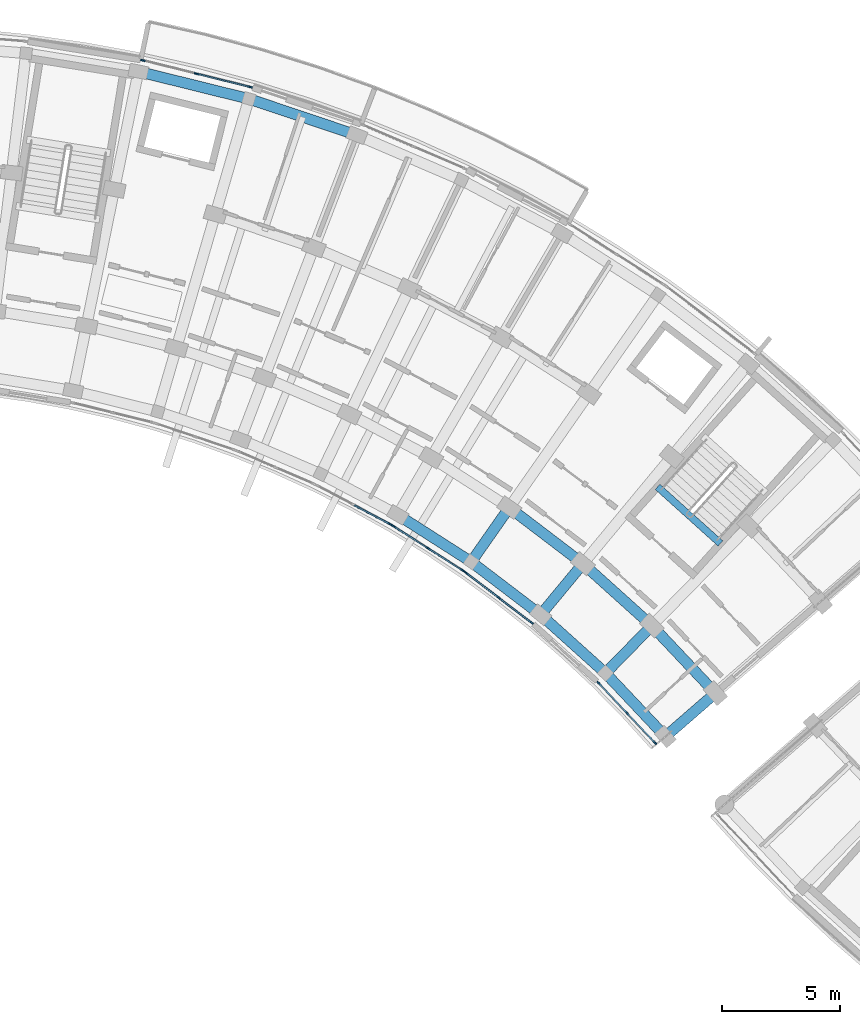
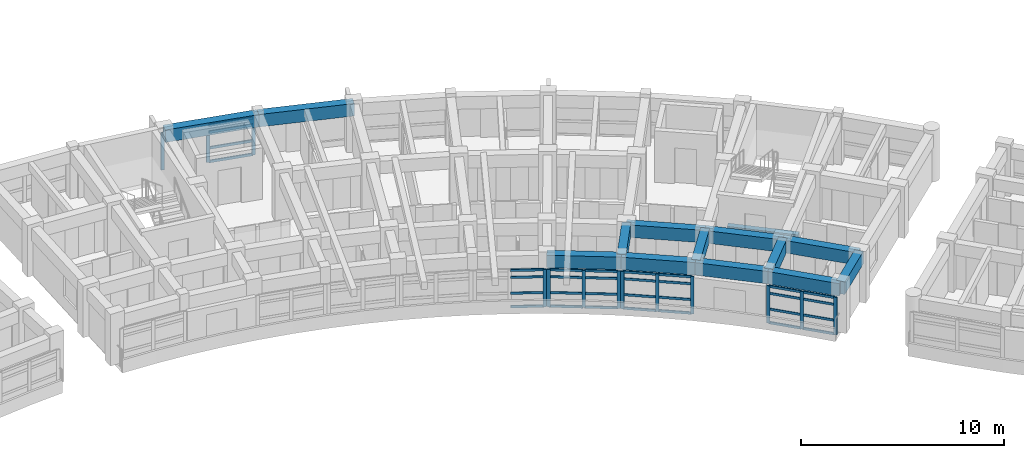
# One storey, part 20 of 70: 45 members, 14 beams, 5 elements without a shape of their own.
"""IFC4 building model written with IfcOpenShell, lengths in metres."""

from ifc_helpers import new_model, si_unit, direction, frame, origin, origin_2d, place, context, subcontext, project, spatial, rectangle, extrude, material, material_profile, profile_set, type_object, element, aggregate, save


model = new_model("IFC4")

# Units and contexts
model_context = context("Model", 3, precision=1e-05, world=origin(), true_north=direction((0.0, 1.0)))
body_context = subcontext(model_context, "Body", "Model", "MODEL_VIEW")
ifc_project = project(units=[si_unit("LENGTHUNIT", "METRE"), si_unit("AREAUNIT", "SQUARE_METRE"), si_unit("VOLUMEUNIT", "CUBIC_METRE"), si_unit("PLANEANGLEUNIT", "RADIAN"), si_unit("MASSUNIT", "GRAM", prefix="KILO")], contexts=[model_context])

# Site, building, storey
site_placement = place(None, origin())
site = spatial("IfcSite", under=ifc_project, at=site_placement, CompositionType="ELEMENT")
building_placement = place(site_placement, origin())
building = spatial("IfcBuilding", under=site, at=building_placement, Name="Zimvara Arc Housing Community", CompositionType="ELEMENT")
storey_placement = place(building_placement, frame((0.0, 0.0, 8.10009765625)))
storey = spatial("IfcBuildingStorey", under=building, at=storey_placement, Name="L02", CompositionType="ELEMENT", Elevation=8.10009765625)

# Beams
ifc_material_1 = material(Name="Concrete C40/50", Category="concrete")
ifc_material_profile_1 = material_profile(ifc_material_1, rectangle(XDim=0.300048828125, YDim=0.5, at=origin_2d()), Name="RC 300x500")
ifc_profile_set_1 = profile_set([ifc_material_profile_1], Name="Concrete C40/50")
beam_type_1 = type_object("IfcBeamType", Name="BM-RC-300x500", PredefinedType="BEAM", material=ifc_profile_set_1)
beam_1_placement = place(storey_placement, frame((81.375732421875, 82.259033203125, -0.25), z_axis=(-0.743362151162, 0.668889162881, 0.0), x_axis=(-0.668889162881, -0.743362151162, 0.0)))
element("IfcBeam", 1, at=beam_1_placement, inside=storey, type_object=beam_type_1, Name="bm:stair_trim:ST-B2:L02:near", PredefinedType="BEAM", context=body_context, shape_type="SweptSolid", body=[
    extrude(rectangle(XDim=0.300048828125, YDim=0.5, at=origin_2d()), origin(), (0.0, 0.0, 1.0), 3.570068359375),
])
ifc_material_2 = material(Name="Concrete C40/50", Category="concrete")
ifc_material_profile_2 = material_profile(ifc_material_2, rectangle(XDim=0.449951171875, YDim=0.75, at=origin_2d()), Name="RC 450x750")
ifc_profile_set_2 = profile_set([ifc_material_profile_2], Name="Concrete C40/50")
beam_type_2 = type_object("IfcBeamType", Name="BM-RC-450x750", PredefinedType="BEAM", material=ifc_profile_set_2)
beam_2_placement = place(storey_placement, frame((67.750732421875, 83.46435546875, 2.5048828125), z_axis=(0.842272604079, -0.539051816079, 0.0), x_axis=(0.539051816079, 0.842272604079, 0.0)))
element("IfcBeam", 2, at=beam_2_placement, inside=storey, type_object=beam_type_2, Name="bm:blkB:L02:chord:r0:b6", PredefinedType="BEAM", context=body_context, shape_type="SweptSolid", body=[
    extrude(rectangle(XDim=0.449951171875, YDim=0.75, at=origin_2d()), origin(), (0.0, 0.0, 1.0), 3.684326171875),
])
beam_3_placement = place(storey_placement, frame((70.85400390625, 81.478271484375, 2.5048828125), z_axis=(0.795453014049, -0.606015265847, 0.0), x_axis=(0.606015265847, 0.795453014049, 0.0)))
element("IfcBeam", 3, at=beam_3_placement, inside=storey, type_object=beam_type_2, Name="bm:blkB:L02:chord:r0:b7", PredefinedType="BEAM", context=body_context, shape_type="SweptSolid", body=[
    extrude(rectangle(XDim=0.449951171875, YDim=0.75, at=origin_2d()), origin(), (0.0, 0.0, 1.0), 3.6845703125),
])
beam_4_placement = place(storey_placement, frame((73.784912109375, 79.245361328125, 2.5048828125), z_axis=(0.743366631239, -0.668884183966, 0.0), x_axis=(0.668884183966, 0.743366631239, 0.0)))
element("IfcBeam", 4, at=beam_4_placement, inside=storey, type_object=beam_type_2, Name="bm:blkB:L02:chord:r0:b8", PredefinedType="BEAM", context=body_context, shape_type="SweptSolid", body=[
    extrude(rectangle(XDim=0.449951171875, YDim=0.75, at=origin_2d()), origin(), (0.0, 0.0, 1.0), 3.684326171875),
])
beam_5_placement = place(storey_placement, frame((76.523681640625, 76.781005859375, 2.5048828125), z_axis=(0.686335517678, -0.727285059088, 0.0), x_axis=(0.727285059088, 0.686335517678, 0.0)))
element("IfcBeam", 5, at=beam_5_placement, inside=storey, type_object=beam_type_2, Name="bm:blkB:L02:chord:r0:b9", PredefinedType="BEAM", context=body_context, shape_type="SweptSolid", body=[
    extrude(rectangle(XDim=0.449951171875, YDim=0.75, at=origin_2d()), origin(), (0.0, 0.0, 1.0), 3.6845703125),
])
for number, where, z_axis, x_axis, name in (
    (6, (72.458251953125, 83.77294921875, 2.5048828125), (0.795470387579, -0.605992460749, 0.0), (0.605992460749, 0.795470387579, 0.0), "bm:blkB:L02:chord:r1:b7"),
    (7, (75.571044921875, 81.401611328125, 2.5048828125), (0.743402719516, -0.668844074965, 0.0), (0.668844074965, 0.743402719516, 0.0), "bm:blkB:L02:chord:r1:b8"),
):
    element("IfcBeam", number, at=place(storey_placement, frame(where, z_axis=z_axis, x_axis=x_axis)), inside=storey, type_object=beam_type_2, Name=name, PredefinedType="BEAM", context=body_context, shape_type="SweptSolid", body=[
        extrude(rectangle(XDim=0.449951171875, YDim=0.75, at=origin_2d()), origin(), (0.0, 0.0, 1.0), 3.9130859375),
    ])
beam_6_placement = place(storey_placement, frame((78.47998046875, 78.784423828125, 2.5048828125), z_axis=(0.686315710793, -0.727303750243, 0.0), x_axis=(0.727303750243, 0.686315710793, 0.0)))
element("IfcBeam", 8, at=beam_6_placement, inside=storey, type_object=beam_type_2, Name="bm:blkB:L02:chord:r1:b9", PredefinedType="BEAM", context=body_context, shape_type="SweptSolid", body=[
    extrude(rectangle(XDim=0.449951171875, YDim=0.75, at=origin_2d()), origin(), (0.0, 0.0, 1.0), 3.913330078125),
])
beam_7_placement = place(storey_placement, frame((56.79931640625, 102.185546875, 2.5048828125), z_axis=(0.970716235341, -0.240229037474, 0.0), x_axis=(0.240229037474, 0.970716235341, 0.0)))
element("IfcBeam", 9, at=beam_7_placement, inside=storey, type_object=beam_type_2, Name="bm:blkB:L02:chord:r3:b2", PredefinedType="BEAM", context=body_context, shape_type="SweptSolid", body=[
    extrude(rectangle(XDim=0.449951171875, YDim=0.75, at=origin_2d()), origin(), (0.0, 0.0, 1.0), 4.80810546875),
])
beam_8_placement = place(storey_placement, frame((61.466552734375, 101.030517578125, 2.5048828125), z_axis=(0.947877948153, -0.31863363822, 0.0), x_axis=(0.31863363822, 0.947877948153, 0.0)))
element("IfcBeam", 10, at=beam_8_placement, inside=storey, type_object=beam_type_2, Name="bm:blkB:L02:chord:r3:b3", PredefinedType="BEAM", context=body_context, shape_type="SweptSolid", body=[
    extrude(rectangle(XDim=0.449951171875, YDim=0.75, at=origin_2d()), origin(), (0.0, 0.0, 1.0), 4.807861328125),
])
beam_9_placement = place(storey_placement, frame((70.85400390625, 81.478271484375, 2.5048828125), z_axis=(0.57297651105, 0.819571789281, 0.0), x_axis=(-0.819571789281, 0.57297651105, 0.0)))
element("IfcBeam", 11, at=beam_9_placement, inside=storey, type_object=beam_type_2, Name="bm:blkB:L02:rad:b7:r01", PredefinedType="BEAM", context=body_context, shape_type="SweptSolid", body=[
    extrude(rectangle(XDim=0.449951171875, YDim=0.75, at=origin_2d()), origin(), (0.0, 0.0, 1.0), 2.7998046875),
])
for number, where, z_axis, x_axis, name in (
    (12, (73.784912109375, 79.245361328125, 2.5048828125), (0.637917412223, 0.770104781951, 0.0), (-0.770104781951, 0.637917412223, 0.0), "bm:blkB:L02:rad:b8:r01"),
    (13, (76.523681640625, 76.781005859375, 2.5048828125), (0.698643013894, 0.71547043205, 0.0), (-0.71547043205, 0.698643013894, 0.0), "bm:blkB:L02:rad:b9:r01"),
    (14, (79.052490234375, 74.101318359375, 2.5048828125), (0.754733151583, 0.656031912259, 0.0), (-0.656031912259, 0.754733151583, 0.0), "bm:blkB:L02:rad:b10:r01"),
):
    element("IfcBeam", number, at=place(storey_placement, frame(where, z_axis=z_axis, x_axis=x_axis)), inside=storey, type_object=beam_type_2, Name=name, PredefinedType="BEAM", context=body_context, shape_type="SweptSolid", body=[
        extrude(rectangle(XDim=0.449951171875, YDim=0.75, at=origin_2d()), origin(), (0.0, 0.0, 1.0), 2.800048828125),
    ])

# Curtain wall, member
ifc_material_3 = material(Name="Anodised Aluminium AW-6063", Category="aluminium")
curtain_wall_type_1 = type_object("IfcCurtainWallType", Name="CW-SYS-08", PredefinedType="USERDEFINED", material=ifc_material_3)
curtain_wall_1_placement = place(storey_placement, origin())
curtain_wall_1 = element("IfcCurtainWall", 15, at=curtain_wall_1_placement, inside=storey, type_object=curtain_wall_type_1, Name="cw:blkB:L02:in:b5", ObjectType="CURTAIN WALL", PredefinedType="USERDEFINED")
ifc_material_4 = material(Name="Anodised Aluminium AW-6063", Category="aluminium")
ifc_material_profile_3 = material_profile(ifc_material_4, rectangle(XDim=0.06494140625, YDim=0.179931640625, at=origin_2d()), Name="ALU 65x180")
ifc_profile_set_3 = profile_set([ifc_material_profile_3], Name="Anodised Aluminium AW-6063")
member_type_1 = type_object("IfcMemberType", Name="CWM-65x150", PredefinedType="MULLION", material=ifc_profile_set_3)
member_1_placement = place(storey_placement, frame((67.416748046875, 83.075927734375, 0.0), z_axis=(0.0, 0.0, 1.0), x_axis=(0.468544648573, 0.88343981815, 0.0)))
member_1 = element("IfcMember", 16, at=member_1_placement, type_object=member_type_1, Name="CW08 mullion 3", PredefinedType="MULLION", context=body_context, shape_type="SweptSolid", body=[
    extrude(rectangle(XDim=0.06494140625, YDim=0.179931640625, at=origin_2d()), origin(), (0.0, 0.0, 1.0), 2.25),
])

# Curtain wall, members
ifc_material_5 = material(Name="Anodised Aluminium AW-6063", Category="aluminium")
curtain_wall_type_2 = type_object("IfcCurtainWallType", Name="CW-SYS-02", PredefinedType="USERDEFINED", material=ifc_material_5)
curtain_wall_2_placement = place(storey_placement, origin())
curtain_wall_2 = element("IfcCurtainWall", 17, at=curtain_wall_2_placement, inside=storey, type_object=curtain_wall_type_2, Name="cw:blkB:L02:in:b6", ObjectType="CURTAIN WALL", PredefinedType="USERDEFINED")
member_2_placement = place(storey_placement, frame((67.576416015625, 82.982666015625, 0.0), z_axis=(0.0, 0.0, 1.0), x_axis=(0.539064085203, 0.842264751752, 0.0)))
member_2 = element("IfcMember", 18, at=member_2_placement, type_object=member_type_1, Name="CW02 mullion 1", PredefinedType="MULLION", context=body_context, shape_type="SweptSolid", body=[
    extrude(rectangle(XDim=0.06494140625, YDim=0.179931640625, at=origin_2d()), origin(), (0.0, 0.0, 1.0), 2.25),
])
member_3_placement = place(storey_placement, frame((69.032958984375, 82.050537109375, 0.0), z_axis=(0.0, 0.0, 1.0), x_axis=(0.539064085203, 0.842264751752, 0.0)))
member_3 = element("IfcMember", 19, at=member_3_placement, type_object=member_type_1, Name="CW02 mullion 2", PredefinedType="MULLION", context=body_context, shape_type="SweptSolid", body=[
    extrude(rectangle(XDim=0.06494140625, YDim=0.179931640625, at=origin_2d()), origin(), (0.0, 0.0, 1.0), 2.25),
])
member_4_placement = place(storey_placement, frame((70.489501953125, 81.118408203125, 0.0), z_axis=(0.0, 0.0, 1.0), x_axis=(0.539064085203, 0.842264751752, 0.0)))
member_4 = element("IfcMember", 20, at=member_4_placement, type_object=member_type_1, Name="CW02 mullion 3", PredefinedType="MULLION", context=body_context, shape_type="SweptSolid", body=[
    extrude(rectangle(XDim=0.06494140625, YDim=0.179931640625, at=origin_2d()), origin(), (0.0, 0.0, 1.0), 2.25),
])

ifc_material_6 = material(Name="Anodised Aluminium AW-6063", Category="aluminium")
curtain_wall_type_3 = type_object("IfcCurtainWallType", Name="CW-SYS-04", PredefinedType="USERDEFINED", material=ifc_material_6)
curtain_wall_3_placement = place(storey_placement, origin())
curtain_wall_3 = element("IfcCurtainWall", 21, at=curtain_wall_3_placement, inside=storey, type_object=curtain_wall_type_3, Name="cw:blkB:L02:in:b7", ObjectType="CURTAIN WALL", PredefinedType="USERDEFINED")
member_5_placement = place(storey_placement, frame((70.64111328125, 81.012451171875, 0.0), z_axis=(0.0, 0.0, 1.0), x_axis=(0.605988318533, 0.795473543119, 0.0)))
member_5 = element("IfcMember", 22, at=member_5_placement, type_object=member_type_1, Name="CW04 mullion 1", PredefinedType="MULLION", context=body_context, shape_type="SweptSolid", body=[
    extrude(rectangle(XDim=0.06494140625, YDim=0.179931640625, at=origin_2d()), origin(), (0.0, 0.0, 1.0), 2.25),
])
member_6_placement = place(storey_placement, frame((72.0166015625, 79.96435546875, 0.0), z_axis=(0.0, 0.0, 1.0), x_axis=(0.605988318533, 0.795473543119, 0.0)))
member_6 = element("IfcMember", 23, at=member_6_placement, type_object=member_type_1, Name="CW04 mullion 2", PredefinedType="MULLION", context=body_context, shape_type="SweptSolid", body=[
    extrude(rectangle(XDim=0.06494140625, YDim=0.179931640625, at=origin_2d()), origin(), (0.0, 0.0, 1.0), 2.25),
])
member_7_placement = place(storey_placement, frame((73.392333984375, 78.91650390625, 0.0), z_axis=(0.0, 0.0, 1.0), x_axis=(0.605988318533, 0.795473543119, 0.0)))
member_7 = element("IfcMember", 24, at=member_7_placement, type_object=member_type_1, Name="CW04 mullion 3", PredefinedType="MULLION", context=body_context, shape_type="SweptSolid", body=[
    extrude(rectangle(XDim=0.06494140625, YDim=0.179931640625, at=origin_2d()), origin(), (0.0, 0.0, 1.0), 2.25),
])

ifc_material_7 = material(Name="Anodised Aluminium AW-6063", Category="aluminium")
curtain_wall_type_4 = type_object("IfcCurtainWallType", Name="CW-SYS-06", PredefinedType="USERDEFINED", material=ifc_material_7)
curtain_wall_4_placement = place(storey_placement, origin())
curtain_wall_4 = element("IfcCurtainWall", 25, at=curtain_wall_4_placement, inside=storey, type_object=curtain_wall_type_4, Name="cw:blkB:L02:in:b9", ObjectType="CURTAIN WALL", PredefinedType="USERDEFINED")
member_8_placement = place(storey_placement, frame((76.238037109375, 76.35595703125, 0.0), z_axis=(0.0, 0.0, 1.0), x_axis=(0.727293280483, 0.686326805658, 0.0)))
member_8 = element("IfcMember", 26, at=member_8_placement, type_object=member_type_1, Name="CW06 mullion 1", PredefinedType="MULLION", context=body_context, shape_type="SweptSolid", body=[
    extrude(rectangle(XDim=0.06494140625, YDim=0.179931640625, at=origin_2d()), origin(), (0.0, 0.0, 1.0), 2.25),
])
member_9_placement = place(storey_placement, frame((77.4248046875, 75.098388671875, 0.0), z_axis=(0.0, 0.0, 1.0), x_axis=(0.727293280483, 0.686326805658, 0.0)))
member_9 = element("IfcMember", 27, at=member_9_placement, type_object=member_type_1, Name="CW06 mullion 2", PredefinedType="MULLION", context=body_context, shape_type="SweptSolid", body=[
    extrude(rectangle(XDim=0.06494140625, YDim=0.179931640625, at=origin_2d()), origin(), (0.0, 0.0, 1.0), 2.25),
])
member_10_placement = place(storey_placement, frame((78.611572265625, 73.840576171875, 0.0), z_axis=(0.0, 0.0, 1.0), x_axis=(0.727293280483, 0.686326805658, 0.0)))
member_10 = element("IfcMember", 28, at=member_10_placement, type_object=member_type_1, Name="CW06 mullion 3", PredefinedType="MULLION", context=body_context, shape_type="SweptSolid", body=[
    extrude(rectangle(XDim=0.06494140625, YDim=0.179931640625, at=origin_2d()), origin(), (0.0, 0.0, 1.0), 2.25),
])

ifc_material_8 = material(Name="Anodised Aluminium AW-6063", Category="aluminium")
curtain_wall_type_5 = type_object("IfcCurtainWallType", Name="CW-SYS-03", PredefinedType="USERDEFINED", material=ifc_material_8)
curtain_wall_5_placement = place(storey_placement, origin())
curtain_wall_5 = element("IfcCurtainWall", 29, at=curtain_wall_5_placement, inside=storey, type_object=curtain_wall_type_5, Name="cw:blkB:L02:out:b2", ObjectType="CURTAIN WALL", PredefinedType="USERDEFINED")
ifc_material_9 = material(Name="Anodised Aluminium AW-6063", Category="aluminium")
ifc_material_profile_4 = material_profile(ifc_material_9, rectangle(XDim=0.06494140625, YDim=0.195068359375, at=origin_2d()), Name="ALU 65x195")
ifc_profile_set_4 = profile_set([ifc_material_profile_4], Name="Anodised Aluminium AW-6063")
member_type_2 = type_object("IfcMemberType", Name="CWM-65x180", PredefinedType="MULLION", material=ifc_profile_set_4)
member_11_placement = place(storey_placement, frame((56.9892578125, 102.6533203125, 0.0), z_axis=(0.0, 0.0, 1.0), x_axis=(0.240229711131, 0.970716068627, 0.0)))
member_11 = element("IfcMember", 30, at=member_11_placement, type_object=member_type_2, Name="CW03 mullion 1", PredefinedType="MULLION", context=body_context, shape_type="SweptSolid", body=[
    extrude(rectangle(XDim=0.06494140625, YDim=0.195068359375, at=origin_2d()), origin(), (0.0, 0.0, 1.0), 2.25),
])
member_12_placement = place(storey_placement, frame((59.2529296875, 102.093017578125, 0.0), z_axis=(0.0, 0.0, 1.0), x_axis=(0.240229711131, 0.970716068627, 0.0)))
member_12 = element("IfcMember", 31, at=member_12_placement, type_object=member_type_2, Name="CW03 mullion 2", PredefinedType="MULLION", context=body_context, shape_type="SweptSolid", body=[
    extrude(rectangle(XDim=0.06494140625, YDim=0.195068359375, at=origin_2d()), origin(), (0.0, 0.0, 1.0), 2.25),
])
member_13_placement = place(storey_placement, frame((61.5166015625, 101.532958984375, 0.0), z_axis=(0.0, 0.0, 1.0), x_axis=(0.240229711131, 0.970716068627, 0.0)))
member_13 = element("IfcMember", 32, at=member_13_placement, type_object=member_type_2, Name="CW03 mullion 3", PredefinedType="MULLION", context=body_context, shape_type="SweptSolid", body=[
    extrude(rectangle(XDim=0.06494140625, YDim=0.195068359375, at=origin_2d()), origin(), (0.0, 0.0, 1.0), 2.25),
])

# Member
ifc_material_10 = material(Name="Anodised Aluminium AW-6063", Category="aluminium")
ifc_material_profile_5 = material_profile(ifc_material_10, rectangle(XDim=0.06494140625, YDim=0.139892578125, at=origin_2d()), Name="ALU 65x140")
ifc_profile_set_5 = profile_set([ifc_material_profile_5], Name="Anodised Aluminium AW-6063")
member_type_3 = type_object("IfcMemberType", Name="CWT-65x120", PredefinedType="USERDEFINED", material=ifc_profile_set_5)
member_14_placement = place(storey_placement, frame((65.917724609375, 83.870849609375, 0.032470703125), z_axis=(0.883463021947, -0.468500895252, 0.0), x_axis=(0.468500895252, 0.883463021947, 0.0)))
member_14 = element("IfcMember", 33, at=member_14_placement, type_object=member_type_3, Name="CW08 transom 2.1", ObjectType="TRANSOM", PredefinedType="USERDEFINED", context=body_context, shape_type="SweptSolid", body=[
    extrude(rectangle(XDim=0.06494140625, YDim=0.139892578125, at=origin_2d()), origin(), (0.0, 0.0, 1.0), 1.664306640625),
])

member_15_placement = place(storey_placement, frame((65.917724609375, 83.870849609375, 0.849853515625), z_axis=(0.883463021947, -0.468500895252, 0.0), x_axis=(0.468500895252, 0.883463021947, 0.0)))
member_15 = element("IfcMember", 34, at=member_15_placement, type_object=member_type_3, Name="CW08 transom 2.2", ObjectType="TRANSOM", PredefinedType="USERDEFINED", context=body_context, shape_type="SweptSolid", body=[
    extrude(rectangle(XDim=0.06494140625, YDim=0.139892578125, at=origin_2d()), origin(), (0.0, 0.0, 1.0), 1.664306640625),
])

member_16_placement = place(storey_placement, frame((65.917724609375, 83.870849609375, 1.7998046875), z_axis=(0.883463021947, -0.468500895252, 0.0), x_axis=(0.468500895252, 0.883463021947, 0.0)))
member_16 = element("IfcMember", 35, at=member_16_placement, type_object=member_type_3, Name="CW08 transom 2.3", ObjectType="TRANSOM", PredefinedType="USERDEFINED", context=body_context, shape_type="SweptSolid", body=[
    extrude(rectangle(XDim=0.06494140625, YDim=0.139892578125, at=origin_2d()), origin(), (0.0, 0.0, 1.0), 1.664306640625),
])

member_17_placement = place(storey_placement, frame((65.917724609375, 83.870849609375, 2.21728515625), z_axis=(0.883463021947, -0.468500895252, 0.0), x_axis=(0.468500895252, 0.883463021947, 0.0)))
member_17 = element("IfcMember", 36, at=member_17_placement, type_object=member_type_3, Name="CW08 transom 2.4", ObjectType="TRANSOM", PredefinedType="USERDEFINED", context=body_context, shape_type="SweptSolid", body=[
    extrude(rectangle(XDim=0.06494140625, YDim=0.139892578125, at=origin_2d()), origin(), (0.0, 0.0, 1.0), 1.664306640625),
])

aggregate(curtain_wall_1, [member_1, member_14, member_15, member_16, member_17])

member_18_placement = place(storey_placement, frame((67.603759765625, 82.965087890625, 0.032470703125), z_axis=(0.842330007588, -0.538962112135, 0.0), x_axis=(0.538962112135, 0.842330007588, 0.0)))
member_18 = element("IfcMember", 37, at=member_18_placement, type_object=member_type_3, Name="CW02 transom 1.1", ObjectType="TRANSOM", PredefinedType="USERDEFINED", context=body_context, shape_type="SweptSolid", body=[
    extrude(rectangle(XDim=0.06494140625, YDim=0.139892578125, at=origin_2d()), origin(), (0.0, 0.0, 1.0), 1.664306640625),
])

member_19_placement = place(storey_placement, frame((67.603759765625, 82.965087890625, 0.849853515625), z_axis=(0.842330007588, -0.538962112135, 0.0), x_axis=(0.538962112135, 0.842330007588, 0.0)))
member_19 = element("IfcMember", 38, at=member_19_placement, type_object=member_type_3, Name="CW02 transom 1.2", ObjectType="TRANSOM", PredefinedType="USERDEFINED", context=body_context, shape_type="SweptSolid", body=[
    extrude(rectangle(XDim=0.06494140625, YDim=0.139892578125, at=origin_2d()), origin(), (0.0, 0.0, 1.0), 1.664306640625),
])

member_20_placement = place(storey_placement, frame((67.603759765625, 82.965087890625, 1.7998046875), z_axis=(0.842330007588, -0.538962112135, 0.0), x_axis=(0.538962112135, 0.842330007588, 0.0)))
member_20 = element("IfcMember", 39, at=member_20_placement, type_object=member_type_3, Name="CW02 transom 1.3", ObjectType="TRANSOM", PredefinedType="USERDEFINED", context=body_context, shape_type="SweptSolid", body=[
    extrude(rectangle(XDim=0.06494140625, YDim=0.139892578125, at=origin_2d()), origin(), (0.0, 0.0, 1.0), 1.664306640625),
])

member_21_placement = place(storey_placement, frame((67.603759765625, 82.965087890625, 2.21728515625), z_axis=(0.842330007588, -0.538962112135, 0.0), x_axis=(0.538962112135, 0.842330007588, 0.0)))
member_21 = element("IfcMember", 40, at=member_21_placement, type_object=member_type_3, Name="CW02 transom 1.4", ObjectType="TRANSOM", PredefinedType="USERDEFINED", context=body_context, shape_type="SweptSolid", body=[
    extrude(rectangle(XDim=0.06494140625, YDim=0.139892578125, at=origin_2d()), origin(), (0.0, 0.0, 1.0), 1.664306640625),
])

member_22_placement = place(storey_placement, frame((69.060302734375, 82.032958984375, 0.032470703125), z_axis=(0.842263408668, -0.539066183709, 0.0), x_axis=(0.539066183709, 0.842263408668, 0.0)))
member_22 = element("IfcMember", 41, at=member_22_placement, type_object=member_type_3, Name="CW02 transom 2.1", ObjectType="TRANSOM", PredefinedType="USERDEFINED", context=body_context, shape_type="SweptSolid", body=[
    extrude(rectangle(XDim=0.06494140625, YDim=0.139892578125, at=origin_2d()), origin(), (0.0, 0.0, 1.0), 1.664306640625),
])

member_23_placement = place(storey_placement, frame((69.060302734375, 82.032958984375, 0.849853515625), z_axis=(0.842263408668, -0.539066183709, 0.0), x_axis=(0.539066183709, 0.842263408668, 0.0)))
member_23 = element("IfcMember", 42, at=member_23_placement, type_object=member_type_3, Name="CW02 transom 2.2", ObjectType="TRANSOM", PredefinedType="USERDEFINED", context=body_context, shape_type="SweptSolid", body=[
    extrude(rectangle(XDim=0.06494140625, YDim=0.139892578125, at=origin_2d()), origin(), (0.0, 0.0, 1.0), 1.664306640625),
])

member_24_placement = place(storey_placement, frame((69.060302734375, 82.032958984375, 1.7998046875), z_axis=(0.842263408668, -0.539066183709, 0.0), x_axis=(0.539066183709, 0.842263408668, 0.0)))
member_24 = element("IfcMember", 43, at=member_24_placement, type_object=member_type_3, Name="CW02 transom 2.3", ObjectType="TRANSOM", PredefinedType="USERDEFINED", context=body_context, shape_type="SweptSolid", body=[
    extrude(rectangle(XDim=0.06494140625, YDim=0.139892578125, at=origin_2d()), origin(), (0.0, 0.0, 1.0), 1.664306640625),
])

member_25_placement = place(storey_placement, frame((69.060302734375, 82.032958984375, 2.21728515625), z_axis=(0.842263408668, -0.539066183709, 0.0), x_axis=(0.539066183709, 0.842263408668, 0.0)))
member_25 = element("IfcMember", 44, at=member_25_placement, type_object=member_type_3, Name="CW02 transom 2.4", ObjectType="TRANSOM", PredefinedType="USERDEFINED", context=body_context, shape_type="SweptSolid", body=[
    extrude(rectangle(XDim=0.06494140625, YDim=0.139892578125, at=origin_2d()), origin(), (0.0, 0.0, 1.0), 1.664306640625),
])

aggregate(curtain_wall_2, [member_2, member_3, member_4, member_18, member_19, member_20, member_21, member_22, member_23, member_24, member_25])

member_26_placement = place(storey_placement, frame((70.6669921875, 80.99267578125, 0.032470703125), z_axis=(0.795435087713, -0.606038795157, 0.0), x_axis=(0.606038795157, 0.795435087713, 0.0)))
member_26 = element("IfcMember", 45, at=member_26_placement, type_object=member_type_3, Name="CW04 transom 1.1", ObjectType="TRANSOM", PredefinedType="USERDEFINED", context=body_context, shape_type="SweptSolid", body=[
    extrude(rectangle(XDim=0.06494140625, YDim=0.139892578125, at=origin_2d()), origin(), (0.0, 0.0, 1.0), 1.6640625),
])

member_27_placement = place(storey_placement, frame((70.6669921875, 80.99267578125, 0.849853515625), z_axis=(0.795435087713, -0.606038795157, 0.0), x_axis=(0.606038795157, 0.795435087713, 0.0)))
member_27 = element("IfcMember", 46, at=member_27_placement, type_object=member_type_3, Name="CW04 transom 1.2", ObjectType="TRANSOM", PredefinedType="USERDEFINED", context=body_context, shape_type="SweptSolid", body=[
    extrude(rectangle(XDim=0.06494140625, YDim=0.139892578125, at=origin_2d()), origin(), (0.0, 0.0, 1.0), 1.6640625),
])

member_28_placement = place(storey_placement, frame((70.6669921875, 80.99267578125, 1.7998046875), z_axis=(0.795435087713, -0.606038795157, 0.0), x_axis=(0.606038795157, 0.795435087713, 0.0)))
member_28 = element("IfcMember", 47, at=member_28_placement, type_object=member_type_3, Name="CW04 transom 1.3", ObjectType="TRANSOM", PredefinedType="USERDEFINED", context=body_context, shape_type="SweptSolid", body=[
    extrude(rectangle(XDim=0.06494140625, YDim=0.139892578125, at=origin_2d()), origin(), (0.0, 0.0, 1.0), 1.6640625),
])

member_29_placement = place(storey_placement, frame((70.6669921875, 80.99267578125, 2.21728515625), z_axis=(0.795435087713, -0.606038795157, 0.0), x_axis=(0.606038795157, 0.795435087713, 0.0)))
member_29 = element("IfcMember", 48, at=member_29_placement, type_object=member_type_3, Name="CW04 transom 1.4", ObjectType="TRANSOM", PredefinedType="USERDEFINED", context=body_context, shape_type="SweptSolid", body=[
    extrude(rectangle(XDim=0.06494140625, YDim=0.139892578125, at=origin_2d()), origin(), (0.0, 0.0, 1.0), 1.6640625),
])

member_30_placement = place(storey_placement, frame((72.04248046875, 79.94482421875, 0.032470703125), z_axis=(0.795488960577, -0.605968079687, 0.0), x_axis=(0.605968079687, 0.795488960577, 0.0)))
member_30 = element("IfcMember", 49, at=member_30_placement, type_object=member_type_3, Name="CW04 transom 2.1", ObjectType="TRANSOM", PredefinedType="USERDEFINED", context=body_context, shape_type="SweptSolid", body=[
    extrude(rectangle(XDim=0.06494140625, YDim=0.139892578125, at=origin_2d()), origin(), (0.0, 0.0, 1.0), 1.664306640625),
])

member_31_placement = place(storey_placement, frame((72.04248046875, 79.94482421875, 0.849853515625), z_axis=(0.795488960577, -0.605968079687, 0.0), x_axis=(0.605968079687, 0.795488960577, 0.0)))
member_31 = element("IfcMember", 50, at=member_31_placement, type_object=member_type_3, Name="CW04 transom 2.2", ObjectType="TRANSOM", PredefinedType="USERDEFINED", context=body_context, shape_type="SweptSolid", body=[
    extrude(rectangle(XDim=0.06494140625, YDim=0.139892578125, at=origin_2d()), origin(), (0.0, 0.0, 1.0), 1.664306640625),
])

member_32_placement = place(storey_placement, frame((72.04248046875, 79.94482421875, 1.7998046875), z_axis=(0.795488960577, -0.605968079687, 0.0), x_axis=(0.605968079687, 0.795488960577, 0.0)))
member_32 = element("IfcMember", 51, at=member_32_placement, type_object=member_type_3, Name="CW04 transom 2.3", ObjectType="TRANSOM", PredefinedType="USERDEFINED", context=body_context, shape_type="SweptSolid", body=[
    extrude(rectangle(XDim=0.06494140625, YDim=0.139892578125, at=origin_2d()), origin(), (0.0, 0.0, 1.0), 1.664306640625),
])

member_33_placement = place(storey_placement, frame((72.04248046875, 79.94482421875, 2.21728515625), z_axis=(0.795488960577, -0.605968079687, 0.0), x_axis=(0.605968079687, 0.795488960577, 0.0)))
member_33 = element("IfcMember", 52, at=member_33_placement, type_object=member_type_3, Name="CW04 transom 2.4", ObjectType="TRANSOM", PredefinedType="USERDEFINED", context=body_context, shape_type="SweptSolid", body=[
    extrude(rectangle(XDim=0.06494140625, YDim=0.139892578125, at=origin_2d()), origin(), (0.0, 0.0, 1.0), 1.664306640625),
])

aggregate(curtain_wall_3, [member_5, member_6, member_7, member_26, member_27, member_28, member_29, member_30, member_31, member_32, member_33])

member_34_placement = place(storey_placement, frame((76.26025390625, 76.33251953125, 0.032470703125), z_axis=(0.686347817597, -0.727273451516, 0.0), x_axis=(0.727273451516, 0.686347817597, 0.0)))
member_34 = element("IfcMember", 53, at=member_34_placement, type_object=member_type_3, Name="CW06 transom 1.1", ObjectType="TRANSOM", PredefinedType="USERDEFINED", context=body_context, shape_type="SweptSolid", body=[
    extrude(rectangle(XDim=0.06494140625, YDim=0.139892578125, at=origin_2d()), origin(), (0.0, 0.0, 1.0), 1.664306640625),
])

member_35_placement = place(storey_placement, frame((76.26025390625, 76.33251953125, 0.849853515625), z_axis=(0.686347817597, -0.727273451516, 0.0), x_axis=(0.727273451516, 0.686347817597, 0.0)))
member_35 = element("IfcMember", 54, at=member_35_placement, type_object=member_type_3, Name="CW06 transom 1.2", ObjectType="TRANSOM", PredefinedType="USERDEFINED", context=body_context, shape_type="SweptSolid", body=[
    extrude(rectangle(XDim=0.06494140625, YDim=0.139892578125, at=origin_2d()), origin(), (0.0, 0.0, 1.0), 1.664306640625),
])

member_36_placement = place(storey_placement, frame((76.26025390625, 76.33251953125, 1.7998046875), z_axis=(0.686347817597, -0.727273451516, 0.0), x_axis=(0.727273451516, 0.686347817597, 0.0)))
member_36 = element("IfcMember", 55, at=member_36_placement, type_object=member_type_3, Name="CW06 transom 1.3", ObjectType="TRANSOM", PredefinedType="USERDEFINED", context=body_context, shape_type="SweptSolid", body=[
    extrude(rectangle(XDim=0.06494140625, YDim=0.139892578125, at=origin_2d()), origin(), (0.0, 0.0, 1.0), 1.664306640625),
])

member_37_placement = place(storey_placement, frame((76.26025390625, 76.33251953125, 2.21728515625), z_axis=(0.686347817597, -0.727273451516, 0.0), x_axis=(0.727273451516, 0.686347817597, 0.0)))
member_37 = element("IfcMember", 56, at=member_37_placement, type_object=member_type_3, Name="CW06 transom 1.4", ObjectType="TRANSOM", PredefinedType="USERDEFINED", context=body_context, shape_type="SweptSolid", body=[
    extrude(rectangle(XDim=0.06494140625, YDim=0.139892578125, at=origin_2d()), origin(), (0.0, 0.0, 1.0), 1.664306640625),
])

member_38_placement = place(storey_placement, frame((77.447021484375, 75.07470703125, 0.032470703125), z_axis=(0.686347817597, -0.727273451516, 0.0), x_axis=(0.727273451516, 0.686347817597, 0.0)))
member_38 = element("IfcMember", 57, at=member_38_placement, type_object=member_type_3, Name="CW06 transom 2.1", ObjectType="TRANSOM", PredefinedType="USERDEFINED", context=body_context, shape_type="SweptSolid", body=[
    extrude(rectangle(XDim=0.06494140625, YDim=0.139892578125, at=origin_2d()), origin(), (0.0, 0.0, 1.0), 1.664306640625),
])

member_39_placement = place(storey_placement, frame((77.447021484375, 75.07470703125, 0.849853515625), z_axis=(0.686347817597, -0.727273451516, 0.0), x_axis=(0.727273451516, 0.686347817597, 0.0)))
member_39 = element("IfcMember", 58, at=member_39_placement, type_object=member_type_3, Name="CW06 transom 2.2", ObjectType="TRANSOM", PredefinedType="USERDEFINED", context=body_context, shape_type="SweptSolid", body=[
    extrude(rectangle(XDim=0.06494140625, YDim=0.139892578125, at=origin_2d()), origin(), (0.0, 0.0, 1.0), 1.664306640625),
])

member_40_placement = place(storey_placement, frame((77.447021484375, 75.07470703125, 1.7998046875), z_axis=(0.686347817597, -0.727273451516, 0.0), x_axis=(0.727273451516, 0.686347817597, 0.0)))
member_40 = element("IfcMember", 59, at=member_40_placement, type_object=member_type_3, Name="CW06 transom 2.3", ObjectType="TRANSOM", PredefinedType="USERDEFINED", context=body_context, shape_type="SweptSolid", body=[
    extrude(rectangle(XDim=0.06494140625, YDim=0.139892578125, at=origin_2d()), origin(), (0.0, 0.0, 1.0), 1.664306640625),
])

member_41_placement = place(storey_placement, frame((77.447021484375, 75.07470703125, 2.21728515625), z_axis=(0.686347817597, -0.727273451516, 0.0), x_axis=(0.727273451516, 0.686347817597, 0.0)))
member_41 = element("IfcMember", 60, at=member_41_placement, type_object=member_type_3, Name="CW06 transom 2.4", ObjectType="TRANSOM", PredefinedType="USERDEFINED", context=body_context, shape_type="SweptSolid", body=[
    extrude(rectangle(XDim=0.06494140625, YDim=0.139892578125, at=origin_2d()), origin(), (0.0, 0.0, 1.0), 1.664306640625),
])

aggregate(curtain_wall_4, [member_8, member_9, member_10, member_34, member_35, member_36, member_37, member_38, member_39, member_40, member_41])

ifc_material_11 = material(Name="Anodised Aluminium AW-6063", Category="aluminium")
ifc_material_profile_6 = material_profile(ifc_material_11, rectangle(XDim=0.06494140625, YDim=0.155029296875, at=origin_2d()), Name="ALU 65x155")
ifc_profile_set_6 = profile_set([ifc_material_profile_6], Name="Anodised Aluminium AW-6063")
member_type_4 = type_object("IfcMemberType", Name="CWT-65x140", PredefinedType="USERDEFINED", material=ifc_profile_set_6)
member_42_placement = place(storey_placement, frame((59.284423828125, 102.085205078125, 0.032470703125), z_axis=(0.970728837212, -0.240178110172, 0.0), x_axis=(0.240178110172, 0.970728837212, 0.0)))
member_42 = element("IfcMember", 61, at=member_42_placement, type_object=member_type_4, Name="CW03 transom 2.1", ObjectType="TRANSOM", PredefinedType="USERDEFINED", context=body_context, shape_type="SweptSolid", body=[
    extrude(rectangle(XDim=0.06494140625, YDim=0.155029296875, at=origin_2d()), origin(), (0.0, 0.0, 1.0), 2.266845703125),
])

member_43_placement = place(storey_placement, frame((59.284423828125, 102.085205078125, 0.849853515625), z_axis=(0.970728837212, -0.240178110172, 0.0), x_axis=(0.240178110172, 0.970728837212, 0.0)))
member_43 = element("IfcMember", 62, at=member_43_placement, type_object=member_type_4, Name="CW03 transom 2.2", ObjectType="TRANSOM", PredefinedType="USERDEFINED", context=body_context, shape_type="SweptSolid", body=[
    extrude(rectangle(XDim=0.06494140625, YDim=0.155029296875, at=origin_2d()), origin(), (0.0, 0.0, 1.0), 2.266845703125),
])

member_44_placement = place(storey_placement, frame((59.284423828125, 102.085205078125, 1.7998046875), z_axis=(0.970728837212, -0.240178110172, 0.0), x_axis=(0.240178110172, 0.970728837212, 0.0)))
member_44 = element("IfcMember", 63, at=member_44_placement, type_object=member_type_4, Name="CW03 transom 2.3", ObjectType="TRANSOM", PredefinedType="USERDEFINED", context=body_context, shape_type="SweptSolid", body=[
    extrude(rectangle(XDim=0.06494140625, YDim=0.155029296875, at=origin_2d()), origin(), (0.0, 0.0, 1.0), 2.266845703125),
])

member_45_placement = place(storey_placement, frame((59.284423828125, 102.085205078125, 2.21728515625), z_axis=(0.970728837212, -0.240178110172, 0.0), x_axis=(0.240178110172, 0.970728837212, 0.0)))
member_45 = element("IfcMember", 64, at=member_45_placement, type_object=member_type_4, Name="CW03 transom 2.4", ObjectType="TRANSOM", PredefinedType="USERDEFINED", context=body_context, shape_type="SweptSolid", body=[
    extrude(rectangle(XDim=0.06494140625, YDim=0.155029296875, at=origin_2d()), origin(), (0.0, 0.0, 1.0), 2.266845703125),
])

aggregate(curtain_wall_5, [member_11, member_12, member_13, member_42, member_43, member_44, member_45])

save(model, "model.ifc")
